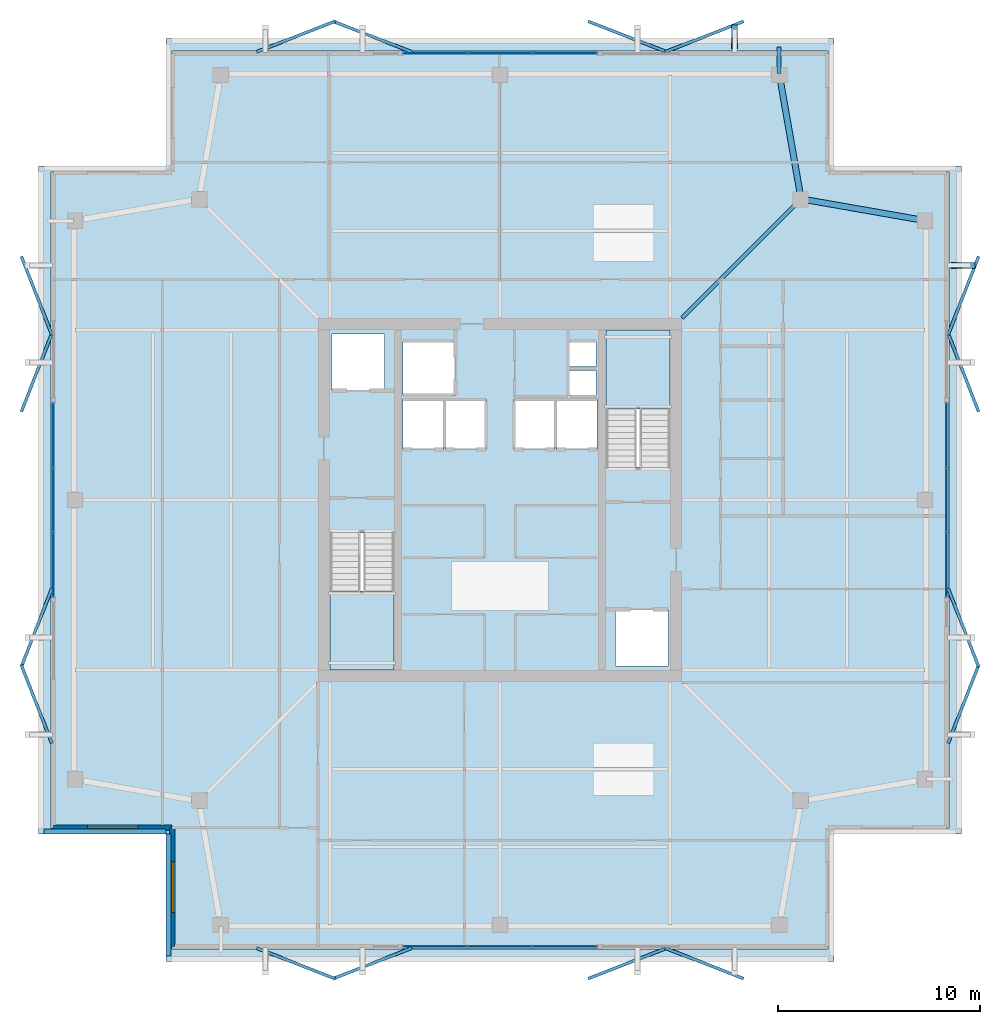
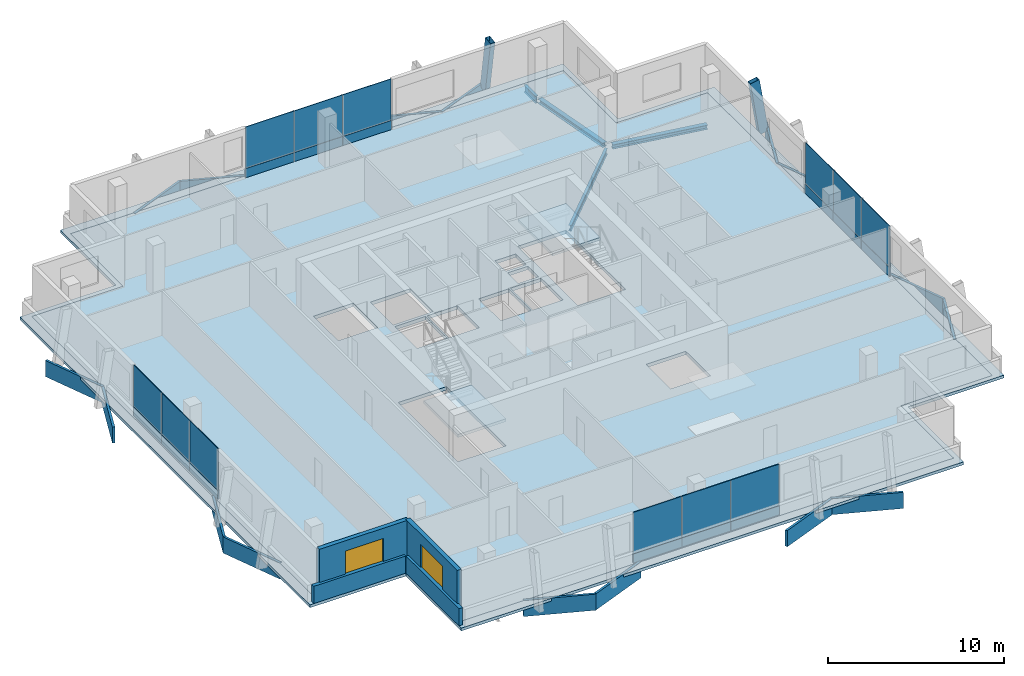
# One storey, part 12 of 17: 40 plates, 4 beams, 4 slabs, 4 walls, 2 members, 2 windows, 2 openings, 6 elements without a shape of their own.
"""IFC4 building model written with IfcOpenShell, lengths in metres."""

from ifc_helpers import new_model, si_unit, direction, frame, frame_2d, origin, origin_2d, place, context, subcontext, project, spatial, polyline, rectangle, hollow_rectangle, i_section, outline, extrude, material, layer, layer_set, material_profile, profile_set, type_object, element, fill, aggregate, save


model = new_model("IFC4")

# Units and contexts
model_context = context("Model", 3, precision=1e-05, world=origin(), true_north=direction((0.0, 1.0)))
body_context = subcontext(model_context, "Body", "Model", "MODEL_VIEW")
ifc_project = project(units=[si_unit("LENGTHUNIT", "METRE"), si_unit("AREAUNIT", "SQUARE_METRE"), si_unit("VOLUMEUNIT", "CUBIC_METRE"), si_unit("PLANEANGLEUNIT", "RADIAN"), si_unit("MASSUNIT", "GRAM", prefix="KILO")], contexts=[model_context])

# Site, building, storey
site_placement = place(None, origin())
site = spatial("IfcSite", under=ifc_project, at=site_placement, CompositionType="ELEMENT")
building_placement = place(site_placement, origin())
building = spatial("IfcBuilding", under=site, at=building_placement, Name="Belovzor Exchange Tower", CompositionType="ELEMENT")
storey_placement = place(building_placement, frame((0.0, 0.0, 333.0)))
storey = spatial("IfcBuildingStorey", under=building, at=storey_placement, Name="L83", CompositionType="ELEMENT", Elevation=333.0)

# Beam
ifc_material_1 = material(Name="Steel S355", Category="steel")
ifc_material_profile_1 = material_profile(ifc_material_1, i_section(OverallWidth=0.199951171875, OverallDepth=0.5, WebThickness=0.01025390625, FlangeThickness=0.01611328125, at=origin_2d()))
ifc_profile_set_1 = profile_set([ifc_material_profile_1], Name="Steel S355")
beam_type_1 = type_object("IfcBeamType", Name="Planted Balcony Cantilever Beam IPE 500", PredefinedType="BEAM", material=ifc_profile_set_1)
beam_1_placement = place(storey_placement, frame((42.60009765625, 49.8779296875, -0.489990234375), z_axis=(0.0, 1.0, 0.0), x_axis=(-1.0, 0.0, 0.0)))
element("IfcBeam", 1, at=beam_1_placement, inside=storey, type_object=beam_type_1, Name="BC-500 Planted Balcony Cantilever Beam IPE 500", PredefinedType="BEAM", context=body_context, shape_type="SweptSolid", body=[
    extrude(i_section(OverallWidth=0.199951171875, OverallDepth=0.5, WebThickness=0.01025390625, FlangeThickness=0.01611328125, at=origin_2d()), origin(), (0.0, 0.0, 1.0), 1.322021484375),
])

# Members
ifc_material_2 = material(Name="Extruded Architectural Terracotta on Steel S355 Carrier", Category="masonry")
ifc_material_profile_2 = material_profile(ifc_material_2, hollow_rectangle(XDim=0.300048828125, YDim=0.60009765625, WallThickness=0.01611328125, at=origin_2d()))
ifc_profile_set_2 = profile_set([ifc_material_profile_2], Name="Extruded Architectural Terracotta on Steel S355 Carrier")
member_type = type_object("IfcMemberType", Name="Upper Crown Terracotta Fin Assembly 550", PredefinedType="USERDEFINED", material=ifc_profile_set_2)
for number, where, z_axis, x_axis, name in (
    (2, (40.39990234375, 51.97509765625, -0.239990234375), (0.0, -0.158015573692, 0.987436619977), (1.0, 0.0, 0.0), "FIN-TC055 Terracotta Facade Fin L83 N4"),
    (3, (51.97509765625, 40.39990234375, -0.239990234375), (-0.158015573692, 0.0, 0.987436619977), (0.0, -1.0, 0.0), "FIN-TC055 Terracotta Facade Fin L83 E4"),
):
    element("IfcMember", number, at=place(storey_placement, frame(where, z_axis=z_axis, x_axis=x_axis)), inside=storey, type_object=member_type, Name=name, ObjectType="FIN", PredefinedType="USERDEFINED", context=body_context, shape_type="SweptSolid", body=[
        extrude(hollow_rectangle(XDim=0.300048828125, YDim=0.60009765625, WallThickness=0.01611328125, at=origin_2d()), origin(), (0.0, 0.0, 1.0), 3.797607421875),
    ])

# Beams
ifc_material_3 = material(Name="Steel S355", Category="steel")
ifc_material_profile_3 = material_profile(ifc_material_3, i_section(OverallWidth=0.179931640625, OverallDepth=0.39990234375, WebThickness=0.008544921875, FlangeThickness=0.013427734375, at=origin_2d()))
ifc_profile_set_3 = profile_set([ifc_material_profile_3], Name="Steel S355")
beam_type_2 = type_object("IfcBeamType", Name="Zone 5-6 Radial Composite Floor Beam IPE 400", PredefinedType="BEAM", material=ifc_profile_set_3)
beam_2_placement = place(storey_placement, frame((37.800048828125, 37.800048828125, -0.43994140625), z_axis=(0.707106781187, 0.707106781187, 0.0), x_axis=(-0.707106781187, 0.707106781187, 0.0)))
element("IfcBeam", 4, at=beam_2_placement, inside=storey, type_object=beam_type_2, Name="FB-400 Zone 5-6 Radial Composite Floor Beam IPE 400", PredefinedType="BEAM", context=body_context, shape_type="SweptSolid", body=[
    extrude(i_section(OverallWidth=0.179931640625, OverallDepth=0.39990234375, WebThickness=0.008544921875, FlangeThickness=0.013427734375, at=origin_2d()), origin(), (0.0, 0.0, 1.0), 7.98193359375),
])
ifc_material_4 = material(Name="Steel S355", Category="steel")
ifc_material_profile_4 = material_profile(ifc_material_4, i_section(OverallWidth=0.300048828125, OverallDepth=0.300048828125, WebThickness=0.008544921875, FlangeThickness=0.013916015625, at=origin_2d()))
ifc_profile_set_4 = profile_set([ifc_material_profile_4], Name="Steel S355")
beam_type_3 = type_object("IfcBeamType", Name="Zone 6 Primary Girder HEA 300", PredefinedType="BEAM", material=ifc_profile_set_4)
for number, where, z_axis, x_axis, name in (
    (5, (49.60498046875, 42.64501953125, -0.389892578125), (-0.985052796974, 0.172252684082, 0.0), (-0.172252684082, -0.985052796974, 0.0), "FG-Z6 Zone 6 Primary Girder HEA 300"),
    (6, (43.635986328125, 43.93798828125, -0.389892578125), (-0.172252684082, 0.985052796974, 0.0), (-0.985052796974, -0.172252684082, 0.0), "FG-Z6 Zone 6 Primary Girder HEA 300"),
):
    element("IfcBeam", number, at=place(storey_placement, frame(where, z_axis=z_axis, x_axis=x_axis)), inside=storey, type_object=beam_type_3, Name=name, PredefinedType="BEAM", context=body_context, shape_type="SweptSolid", body=[
        extrude(i_section(OverallWidth=0.300048828125, OverallDepth=0.300048828125, WebThickness=0.008544921875, FlangeThickness=0.013916015625, at=origin_2d()), origin(), (0.0, 0.0, 1.0), 5.7529296875),
    ])

# Slab
ifc_material_5 = material(Name="Concrete C40/50", Category="concrete")
ifc_layer_1 = layer(ifc_material_5, 0.239990234375)
ifc_layer_set_1 = layer_set([ifc_layer_1], Name="Concrete C40/50")
slab_type_1 = type_object("IfcSlabType", Name="Composite High-Rise Floor Deck Slab 240", PredefinedType="FLOOR", material=ifc_layer_set_1)
slab_1_placement = place(storey_placement, frame((0.0, 0.0, -0.239990234375)))
element("IfcSlab", 7, at=slab_1_placement, inside=storey, type_object=slab_type_1, Name="SL-F240 Structural Slab L83", PredefinedType="FLOOR", context=body_context, shape_type="SweptSolid", body=[
    extrude(outline(polyline([(12.60009765625, 6.60009765625), (45.0, 6.60009765625), (45.0, 12.60009765625), (51.0, 12.60009765625), (51.0, 45.0), (45.0, 45.0), (45.0, 51.0), (12.60009765625, 51.0), (12.60009765625, 45.0), (6.60009765625, 45.0), (6.60009765625, 12.60009765625), (12.60009765625, 12.60009765625), (12.60009765625, 6.60009765625)]), holes=[polyline([(20.39990234375, 27.175048828125), (20.39990234375, 20.39990234375), (23.550048828125, 20.39990234375), (23.550048828125, 27.175048828125), (20.39990234375, 27.175048828125)]), polyline([(37.199951171875, 30.425048828125), (37.199951171875, 37.199951171875), (34.050048828125, 37.199951171875), (34.050048828125, 30.425048828125), (37.199951171875, 30.425048828125)]), polyline([(20.5, 34.199951171875), (23.10009765625, 34.199951171875), (23.10009765625, 37.0), (20.5, 37.0), (20.5, 34.199951171875)]), polyline([(34.5, 20.60009765625), (37.10009765625, 20.60009765625), (37.10009765625, 23.39990234375), (34.5, 23.39990234375), (34.5, 20.60009765625)]), polyline([(24.0, 34.0), (26.60009765625, 34.0), (26.60009765625, 36.60009765625), (24.0, 36.60009765625), (24.0, 34.0)]), polyline([(24.0, 31.300048828125), (26.0, 31.300048828125), (26.0, 33.800048828125), (24.0, 33.800048828125), (24.0, 31.300048828125)]), polyline([(26.10009765625, 31.300048828125), (28.10009765625, 31.300048828125), (28.10009765625, 33.800048828125), (26.10009765625, 33.800048828125), (26.10009765625, 31.300048828125)]), polyline([(29.5, 31.300048828125), (31.5, 31.300048828125), (31.5, 33.800048828125), (29.5, 33.800048828125), (29.5, 31.300048828125)]), polyline([(31.60009765625, 31.300048828125), (33.60009765625, 31.300048828125), (33.60009765625, 33.800048828125), (31.60009765625, 33.800048828125), (31.60009765625, 31.300048828125)]), polyline([(32.199951171875, 34.0), (33.550048828125, 34.0), (33.550048828125, 35.199951171875), (32.199951171875, 35.199951171875), (32.199951171875, 34.0)]), polyline([(32.199951171875, 35.39990234375), (33.550048828125, 35.39990234375), (33.550048828125, 36.60009765625), (32.199951171875, 36.60009765625), (32.199951171875, 35.39990234375)])]), origin(), (0.0, 0.0, 1.0), 0.239990234375),
])

# Curtain wall, plates
ifc_material_6 = material(Name="Anodised Aluminium Framing", Category="aluminium")
ifc_layer_2 = layer(ifc_material_6, 0.179931640625)
ifc_layer_set_2 = layer_set([ifc_layer_2], Name="Anodised Aluminium Framing")
curtain_wall_type = type_object("IfcCurtainWallType", Name="Recessed Loggia Low-Iron Triple-Glazed Curtain Wall", PredefinedType="NOTDEFINED", material=ifc_layer_set_2)
curtain_wall_1_placement = place(storey_placement, origin())
curtain_wall_1 = element("IfcCurtainWall", 8, at=curtain_wall_1_placement, inside=storey, type_object=curtain_wall_type, Name="CW3 Recessed Loggia Low-Iron Triple-Glazed Curtain Wall L83", PredefinedType="NOTDEFINED")
ifc_material_7 = material(Name="Solar-Control Triple Glazing", Category="glass")
ifc_layer_3 = layer(ifc_material_7, 0.0439453125)
ifc_layer_set_3 = layer_set([ifc_layer_3], Name="Solar-Control Triple Glazing")
plate_type_1 = type_object("IfcPlateType", Name="Insulated Solar Glazing Curtain Panel 44", PredefinedType="CURTAIN_PANEL", material=ifc_layer_set_3)
plate_1_placement = place(storey_placement, frame((32.0, 6.72998046875, 0.634033203125), z_axis=(0.0, 0.0, 1.0), x_axis=(-1.0, 0.0, 0.0)))
plate_1 = element("IfcPlate", 9, at=plate_1_placement, type_object=plate_type_1, Name="GLZ-44 Glazed Curtain Panel 1", PredefinedType="CURTAIN_PANEL", context=body_context, shape_type="SweptSolid", body=[
    extrude(rectangle(XDim=3.18408203125, YDim=0.0439453125, at=origin_2d()), origin(), (0.0, 0.0, 1.0), 2.8759765625),
])
plate_2_placement = place(storey_placement, frame((28.800048828125, 6.72998046875, 0.634033203125), z_axis=(0.0, 0.0, 1.0), x_axis=(-1.0, 0.0, 0.0)))
plate_2 = element("IfcPlate", 10, at=plate_2_placement, type_object=plate_type_1, Name="GLZ-44 Glazed Curtain Panel 2", PredefinedType="CURTAIN_PANEL", context=body_context, shape_type="SweptSolid", body=[
    extrude(rectangle(XDim=3.18408203125, YDim=0.0439453125, at=origin_2d()), origin(), (0.0, 0.0, 1.0), 2.8759765625),
])
plate_3_placement = place(storey_placement, frame((25.60009765625, 6.72998046875, 0.634033203125), z_axis=(0.0, 0.0, 1.0), x_axis=(-1.0, 0.0, 0.0)))
plate_3 = element("IfcPlate", 11, at=plate_3_placement, type_object=plate_type_1, Name="GLZ-44 Glazed Curtain Panel 3", PredefinedType="CURTAIN_PANEL", context=body_context, shape_type="SweptSolid", body=[
    extrude(rectangle(XDim=3.18408203125, YDim=0.0439453125, at=origin_2d()), origin(), (0.0, 0.0, 1.0), 2.8759765625),
])

curtain_wall_2_placement = place(storey_placement, origin())
curtain_wall_2 = element("IfcCurtainWall", 12, at=curtain_wall_2_placement, inside=storey, type_object=curtain_wall_type, Name="CW3 Recessed Loggia Low-Iron Triple-Glazed Curtain Wall L83", PredefinedType="NOTDEFINED")
plate_4_placement = place(storey_placement, frame((25.60009765625, 50.8701171875, 0.634033203125), z_axis=(0.0, 0.0, 1.0), x_axis=(1.0, 0.0, 0.0)))
plate_4 = element("IfcPlate", 13, at=plate_4_placement, type_object=plate_type_1, Name="GLZ-44 Glazed Curtain Panel 1", PredefinedType="CURTAIN_PANEL", context=body_context, shape_type="SweptSolid", body=[
    extrude(rectangle(XDim=3.18408203125, YDim=0.0439453125, at=origin_2d()), origin(), (0.0, 0.0, 1.0), 2.8759765625),
])
plate_5_placement = place(storey_placement, frame((28.800048828125, 50.8701171875, 0.634033203125), z_axis=(0.0, 0.0, 1.0), x_axis=(1.0, 0.0, 0.0)))
plate_5 = element("IfcPlate", 14, at=plate_5_placement, type_object=plate_type_1, Name="GLZ-44 Glazed Curtain Panel 2", PredefinedType="CURTAIN_PANEL", context=body_context, shape_type="SweptSolid", body=[
    extrude(rectangle(XDim=3.18408203125, YDim=0.0439453125, at=origin_2d()), origin(), (0.0, 0.0, 1.0), 2.8759765625),
])
plate_6_placement = place(storey_placement, frame((32.0, 50.8701171875, 0.634033203125), z_axis=(0.0, 0.0, 1.0), x_axis=(1.0, 0.0, 0.0)))
plate_6 = element("IfcPlate", 15, at=plate_6_placement, type_object=plate_type_1, Name="GLZ-44 Glazed Curtain Panel 3", PredefinedType="CURTAIN_PANEL", context=body_context, shape_type="SweptSolid", body=[
    extrude(rectangle(XDim=3.18408203125, YDim=0.0439453125, at=origin_2d()), origin(), (0.0, 0.0, 1.0), 2.8759765625),
])

curtain_wall_3_placement = place(storey_placement, origin())
curtain_wall_3 = element("IfcCurtainWall", 16, at=curtain_wall_3_placement, inside=storey, type_object=curtain_wall_type, Name="CW3 Recessed Loggia Low-Iron Triple-Glazed Curtain Wall L83", PredefinedType="NOTDEFINED")
plate_7_placement = place(storey_placement, frame((6.72998046875, 25.60009765625, 0.634033203125), z_axis=(0.0, 0.0, 1.0), x_axis=(0.0, 1.0, 0.0)))
plate_7 = element("IfcPlate", 17, at=plate_7_placement, type_object=plate_type_1, Name="GLZ-44 Glazed Curtain Panel 1", PredefinedType="CURTAIN_PANEL", context=body_context, shape_type="SweptSolid", body=[
    extrude(rectangle(XDim=3.18408203125, YDim=0.0439453125, at=origin_2d()), origin(), (0.0, 0.0, 1.0), 2.8759765625),
])
plate_8_placement = place(storey_placement, frame((6.72998046875, 28.800048828125, 0.634033203125), z_axis=(0.0, 0.0, 1.0), x_axis=(0.0, 1.0, 0.0)))
plate_8 = element("IfcPlate", 18, at=plate_8_placement, type_object=plate_type_1, Name="GLZ-44 Glazed Curtain Panel 2", PredefinedType="CURTAIN_PANEL", context=body_context, shape_type="SweptSolid", body=[
    extrude(rectangle(XDim=3.18408203125, YDim=0.0439453125, at=origin_2d()), origin(), (0.0, 0.0, 1.0), 2.8759765625),
])
plate_9_placement = place(storey_placement, frame((6.72998046875, 32.0, 0.634033203125), z_axis=(0.0, 0.0, 1.0), x_axis=(0.0, 1.0, 0.0)))
plate_9 = element("IfcPlate", 19, at=plate_9_placement, type_object=plate_type_1, Name="GLZ-44 Glazed Curtain Panel 3", PredefinedType="CURTAIN_PANEL", context=body_context, shape_type="SweptSolid", body=[
    extrude(rectangle(XDim=3.18408203125, YDim=0.0439453125, at=origin_2d()), origin(), (0.0, 0.0, 1.0), 2.8759765625),
])

curtain_wall_4_placement = place(storey_placement, origin())
curtain_wall_4 = element("IfcCurtainWall", 20, at=curtain_wall_4_placement, inside=storey, type_object=curtain_wall_type, Name="CW3 Recessed Loggia Low-Iron Triple-Glazed Curtain Wall L83", PredefinedType="NOTDEFINED")
plate_10_placement = place(storey_placement, frame((50.8701171875, 32.0, 0.634033203125), z_axis=(0.0, 0.0, 1.0), x_axis=(0.0, -1.0, 0.0)))
plate_10 = element("IfcPlate", 21, at=plate_10_placement, type_object=plate_type_1, Name="GLZ-44 Glazed Curtain Panel 1", PredefinedType="CURTAIN_PANEL", context=body_context, shape_type="SweptSolid", body=[
    extrude(rectangle(XDim=3.18408203125, YDim=0.0439453125, at=origin_2d()), origin(), (0.0, 0.0, 1.0), 2.8759765625),
])
plate_11_placement = place(storey_placement, frame((50.8701171875, 28.800048828125, 0.634033203125), z_axis=(0.0, 0.0, 1.0), x_axis=(0.0, -1.0, 0.0)))
plate_11 = element("IfcPlate", 22, at=plate_11_placement, type_object=plate_type_1, Name="GLZ-44 Glazed Curtain Panel 2", PredefinedType="CURTAIN_PANEL", context=body_context, shape_type="SweptSolid", body=[
    extrude(rectangle(XDim=3.18408203125, YDim=0.0439453125, at=origin_2d()), origin(), (0.0, 0.0, 1.0), 2.8759765625),
])
plate_12_placement = place(storey_placement, frame((50.8701171875, 25.60009765625, 0.634033203125), z_axis=(0.0, 0.0, 1.0), x_axis=(0.0, -1.0, 0.0)))
plate_12 = element("IfcPlate", 23, at=plate_12_placement, type_object=plate_type_1, Name="GLZ-44 Glazed Curtain Panel 3", PredefinedType="CURTAIN_PANEL", context=body_context, shape_type="SweptSolid", body=[
    extrude(rectangle(XDim=3.18408203125, YDim=0.0439453125, at=origin_2d()), origin(), (0.0, 0.0, 1.0), 2.8759765625),
])

# Stair, slab
ifc_material_8 = material(Name="Concrete C40/50", Category="concrete")
stair_type = type_object("IfcStairType", Name="Reinforced Concrete Dogleg Escape Stair 1350", PredefinedType="HALF_TURN_STAIR", material=ifc_material_8)
stair_1_placement = place(storey_placement, origin())
stair_1 = element("IfcStair", 24, at=stair_1_placement, inside=storey, type_object=stair_type, Name="L83 ST-1", PredefinedType="HALF_TURN_STAIR")
ifc_material_9 = material(Name="Concrete C40/50", Category="concrete")
ifc_layer_4 = layer(ifc_material_9, 0.199951171875)
ifc_layer_set_4 = layer_set([ifc_layer_4], Name="Concrete C40/50")
slab_type_2 = type_object("IfcSlabType", Name="Reinforced Concrete Stair Half-Landing Slab 200", PredefinedType="LANDING", material=ifc_layer_set_4)
slab_2_placement = place(storey_placement, frame((0.0, 0.0, 1.675048828125)))
slab_2 = element("IfcSlab", 25, at=slab_2_placement, type_object=slab_type_2, Name="ST-1 landing 1", PredefinedType="LANDING", context=body_context, shape_type="SweptSolid", body=[
    extrude(outline(polyline([(20.39990234375, 24.300048828125), (20.39990234375, 20.39990234375), (23.550048828125, 20.39990234375), (23.550048828125, 24.300048828125), (20.39990234375, 24.300048828125)])), origin(), (0.0, 0.0, 1.0), 0.199951171875),
])
aggregate(stair_1, [slab_2])

stair_2_placement = place(storey_placement, origin())
stair_2 = element("IfcStair", 26, at=stair_2_placement, inside=storey, type_object=stair_type, Name="L83 ST-2", PredefinedType="HALF_TURN_STAIR")
slab_3_placement = place(storey_placement, frame((0.0, 0.0, 1.675048828125)))
slab_3 = element("IfcSlab", 27, at=slab_3_placement, type_object=slab_type_2, Name="ST-2 landing 1", PredefinedType="LANDING", context=body_context, shape_type="SweptSolid", body=[
    extrude(outline(polyline([(37.199951171875, 33.300048828125), (37.199951171875, 37.199951171875), (34.050048828125, 37.199951171875), (34.050048828125, 33.300048828125), (37.199951171875, 33.300048828125)])), origin(), (0.0, 0.0, 1.0), 0.199951171875),
])
aggregate(stair_2, [slab_3])

# Slab
ifc_material_10 = material(Name="Concrete C40/50", Category="concrete")
ifc_layer_5 = layer(ifc_material_10, 0.199951171875)
ifc_layer_set_5 = layer_set([ifc_layer_5], Name="Concrete C40/50")
slab_type_3 = type_object("IfcSlabType", Name="Setback Weathering Roof Ring Slab 200", PredefinedType="ROOF", material=ifc_layer_set_5)
slab_4_placement = place(storey_placement, frame((0.0, 0.0, -0.199951171875)))
element("IfcSlab", 28, at=slab_4_placement, inside=storey, type_object=slab_type_3, Name="SL-RF200A Setback Weathering Roof Ring L82", PredefinedType="ROOF", context=body_context, shape_type="SweptSolid", body=[
    extrude(outline(polyline([(12.300048828125, 6.0), (45.300048828125, 6.0), (45.300048828125, 12.300048828125), (51.60009765625, 12.300048828125), (51.60009765625, 45.300048828125), (45.300048828125, 45.300048828125), (45.300048828125, 51.60009765625), (12.300048828125, 51.60009765625), (12.300048828125, 45.300048828125), (6.0, 45.300048828125), (6.0, 12.300048828125), (12.300048828125, 12.300048828125), (12.300048828125, 6.0)]), holes=[polyline([(12.60009765625, 6.60009765625), (45.0, 6.60009765625), (45.0, 12.60009765625), (51.0, 12.60009765625), (51.0, 45.0), (45.0, 45.0), (45.0, 51.0), (12.60009765625, 51.0), (12.60009765625, 45.0), (6.60009765625, 45.0), (6.60009765625, 12.60009765625), (12.60009765625, 12.60009765625), (12.60009765625, 6.60009765625)])]), origin(), (0.0, 0.0, 1.0), 0.199951171875),
])

# Plate
ifc_material_11 = material(Name="Extruded Architectural Terracotta", Category="masonry")
ifc_layer_6 = layer(ifc_material_11, 0.090087890625)
ifc_layer_set_6 = layer_set([ifc_layer_6], Name="Extruded Architectural Terracotta")
plate_type_2 = type_object("IfcPlateType", Name="Terracotta Shadow-Box Spandrel Panel 90", PredefinedType="CURTAIN_PANEL", material=ifc_layer_set_6)
plate_13_placement = place(storey_placement, frame((32.0, 6.72998046875, 0.0), z_axis=(0.0, 0.0, 1.0), x_axis=(-1.0, 0.0, 0.0)))
plate_13 = element("IfcPlate", 29, at=plate_13_placement, type_object=plate_type_2, Name="SPD-90 Spandrel Panel 1", PredefinedType="CURTAIN_PANEL", context=body_context, shape_type="SweptSolid", body=[
    extrude(rectangle(XDim=3.18408203125, YDim=0.090087890625, at=origin_2d()), origin(), (0.0, 0.0, 1.0), 0.6298828125),
])

plate_14_placement = place(storey_placement, frame((28.800048828125, 6.72998046875, 0.0), z_axis=(0.0, 0.0, 1.0), x_axis=(-1.0, 0.0, 0.0)))
plate_14 = element("IfcPlate", 30, at=plate_14_placement, type_object=plate_type_2, Name="SPD-90 Spandrel Panel 2", PredefinedType="CURTAIN_PANEL", context=body_context, shape_type="SweptSolid", body=[
    extrude(rectangle(XDim=3.18408203125, YDim=0.090087890625, at=origin_2d()), origin(), (0.0, 0.0, 1.0), 0.6298828125),
])

plate_15_placement = place(storey_placement, frame((25.60009765625, 6.72998046875, 0.0), z_axis=(0.0, 0.0, 1.0), x_axis=(-1.0, 0.0, 0.0)))
plate_15 = element("IfcPlate", 31, at=plate_15_placement, type_object=plate_type_2, Name="SPD-90 Spandrel Panel 3", PredefinedType="CURTAIN_PANEL", context=body_context, shape_type="SweptSolid", body=[
    extrude(rectangle(XDim=3.18408203125, YDim=0.090087890625, at=origin_2d()), origin(), (0.0, 0.0, 1.0), 0.6298828125),
])

aggregate(curtain_wall_1, [plate_13, plate_1, plate_14, plate_2, plate_15, plate_3])

plate_16_placement = place(storey_placement, frame((25.60009765625, 50.8701171875, 0.0), z_axis=(0.0, 0.0, 1.0), x_axis=(1.0, 0.0, 0.0)))
plate_16 = element("IfcPlate", 32, at=plate_16_placement, type_object=plate_type_2, Name="SPD-90 Spandrel Panel 1", PredefinedType="CURTAIN_PANEL", context=body_context, shape_type="SweptSolid", body=[
    extrude(rectangle(XDim=3.18408203125, YDim=0.090087890625, at=origin_2d()), origin(), (0.0, 0.0, 1.0), 0.6298828125),
])

plate_17_placement = place(storey_placement, frame((28.800048828125, 50.8701171875, 0.0), z_axis=(0.0, 0.0, 1.0), x_axis=(1.0, 0.0, 0.0)))
plate_17 = element("IfcPlate", 33, at=plate_17_placement, type_object=plate_type_2, Name="SPD-90 Spandrel Panel 2", PredefinedType="CURTAIN_PANEL", context=body_context, shape_type="SweptSolid", body=[
    extrude(rectangle(XDim=3.18408203125, YDim=0.090087890625, at=origin_2d()), origin(), (0.0, 0.0, 1.0), 0.6298828125),
])

plate_18_placement = place(storey_placement, frame((32.0, 50.8701171875, 0.0), z_axis=(0.0, 0.0, 1.0), x_axis=(1.0, 0.0, 0.0)))
plate_18 = element("IfcPlate", 34, at=plate_18_placement, type_object=plate_type_2, Name="SPD-90 Spandrel Panel 3", PredefinedType="CURTAIN_PANEL", context=body_context, shape_type="SweptSolid", body=[
    extrude(rectangle(XDim=3.18408203125, YDim=0.090087890625, at=origin_2d()), origin(), (0.0, 0.0, 1.0), 0.6298828125),
])

aggregate(curtain_wall_2, [plate_16, plate_4, plate_17, plate_5, plate_18, plate_6])

plate_19_placement = place(storey_placement, frame((6.72998046875, 25.60009765625, 0.0), z_axis=(0.0, 0.0, 1.0), x_axis=(0.0, 1.0, 0.0)))
plate_19 = element("IfcPlate", 35, at=plate_19_placement, type_object=plate_type_2, Name="SPD-90 Spandrel Panel 1", PredefinedType="CURTAIN_PANEL", context=body_context, shape_type="SweptSolid", body=[
    extrude(rectangle(XDim=3.18408203125, YDim=0.090087890625, at=origin_2d()), origin(), (0.0, 0.0, 1.0), 0.6298828125),
])

plate_20_placement = place(storey_placement, frame((6.72998046875, 28.800048828125, 0.0), z_axis=(0.0, 0.0, 1.0), x_axis=(0.0, 1.0, 0.0)))
plate_20 = element("IfcPlate", 36, at=plate_20_placement, type_object=plate_type_2, Name="SPD-90 Spandrel Panel 2", PredefinedType="CURTAIN_PANEL", context=body_context, shape_type="SweptSolid", body=[
    extrude(rectangle(XDim=3.18408203125, YDim=0.090087890625, at=origin_2d()), origin(), (0.0, 0.0, 1.0), 0.6298828125),
])

plate_21_placement = place(storey_placement, frame((6.72998046875, 32.0, 0.0), z_axis=(0.0, 0.0, 1.0), x_axis=(0.0, 1.0, 0.0)))
plate_21 = element("IfcPlate", 37, at=plate_21_placement, type_object=plate_type_2, Name="SPD-90 Spandrel Panel 3", PredefinedType="CURTAIN_PANEL", context=body_context, shape_type="SweptSolid", body=[
    extrude(rectangle(XDim=3.18408203125, YDim=0.090087890625, at=origin_2d()), origin(), (0.0, 0.0, 1.0), 0.6298828125),
])

aggregate(curtain_wall_3, [plate_19, plate_7, plate_20, plate_8, plate_21, plate_9])

plate_22_placement = place(storey_placement, frame((50.8701171875, 32.0, 0.0), z_axis=(0.0, 0.0, 1.0), x_axis=(0.0, -1.0, 0.0)))
plate_22 = element("IfcPlate", 38, at=plate_22_placement, type_object=plate_type_2, Name="SPD-90 Spandrel Panel 1", PredefinedType="CURTAIN_PANEL", context=body_context, shape_type="SweptSolid", body=[
    extrude(rectangle(XDim=3.18408203125, YDim=0.090087890625, at=origin_2d()), origin(), (0.0, 0.0, 1.0), 0.6298828125),
])

plate_23_placement = place(storey_placement, frame((50.8701171875, 28.800048828125, 0.0), z_axis=(0.0, 0.0, 1.0), x_axis=(0.0, -1.0, 0.0)))
plate_23 = element("IfcPlate", 39, at=plate_23_placement, type_object=plate_type_2, Name="SPD-90 Spandrel Panel 2", PredefinedType="CURTAIN_PANEL", context=body_context, shape_type="SweptSolid", body=[
    extrude(rectangle(XDim=3.18408203125, YDim=0.090087890625, at=origin_2d()), origin(), (0.0, 0.0, 1.0), 0.6298828125),
])

plate_24_placement = place(storey_placement, frame((50.8701171875, 25.60009765625, 0.0), z_axis=(0.0, 0.0, 1.0), x_axis=(0.0, -1.0, 0.0)))
plate_24 = element("IfcPlate", 40, at=plate_24_placement, type_object=plate_type_2, Name="SPD-90 Spandrel Panel 3", PredefinedType="CURTAIN_PANEL", context=body_context, shape_type="SweptSolid", body=[
    extrude(rectangle(XDim=3.18408203125, YDim=0.090087890625, at=origin_2d()), origin(), (0.0, 0.0, 1.0), 0.6298828125),
])

aggregate(curtain_wall_4, [plate_22, plate_10, plate_23, plate_11, plate_24, plate_12])

# Plates
ifc_material_12 = material(Name="Extruded Architectural Terracotta", Category="masonry")
ifc_layer_7 = layer(ifc_material_12, 0.14990234375)
ifc_layer_set_7 = layer_set([ifc_layer_7], Name="Extruded Architectural Terracotta")
plate_type_3 = type_object("IfcPlateType", Name="Upper-Crown Deep Folded Zigzag Terracotta Spandrel Louvre 150", PredefinedType="USERDEFINED", material=ifc_layer_set_7)
for number, where, z_axis, x_axis, name in (
    (41, (18.699951171875, 5.89990234375, -1.10498046875), (0.0, 0.0, 1.0), (0.931817969421, -0.362925986758, 0.0), "LVR-ZZ3 Zigzag Terracotta Spandrel Louvre L83 S1A"),
    (42, (22.5, 5.89990234375, -1.10498046875), (0.0, 0.0, 1.0), (0.931817969421, 0.362925986758, 0.0), "LVR-ZZ3 Zigzag Terracotta Spandrel Louvre L83 S1B"),
    (43, (18.699951171875, 51.699951171875, -1.10498046875), (0.0, 0.0, 1.0), (0.931817969421, 0.362925986758, 0.0), "LVR-ZZ3 Zigzag Terracotta Spandrel Louvre L83 N1A"),
    (44, (22.5, 51.699951171875, -1.10498046875), (0.0, 0.0, 1.0), (0.931817969421, -0.362925986758, 0.0), "LVR-ZZ3 Zigzag Terracotta Spandrel Louvre L83 N1B"),
    (45, (5.89990234375, 18.699951171875, -1.10498046875), (0.0, 0.0, 1.0), (-0.362925986758, 0.931817969421, 0.0), "LVR-ZZ3 Zigzag Terracotta Spandrel Louvre L83 W1A"),
    (46, (5.89990234375, 22.5, -1.10498046875), (0.0, 0.0, 1.0), (0.362925986758, 0.931817969421, 0.0), "LVR-ZZ3 Zigzag Terracotta Spandrel Louvre L83 W1B"),
    (47, (51.699951171875, 18.699951171875, -1.10498046875), (0.0, 0.0, 1.0), (0.362925986758, 0.931817969421, 0.0), "LVR-ZZ3 Zigzag Terracotta Spandrel Louvre L83 E1A"),
    (48, (51.699951171875, 22.5, -1.10498046875), (0.0, 0.0, 1.0), (-0.362925986758, 0.931817969421, 0.0), "LVR-ZZ3 Zigzag Terracotta Spandrel Louvre L83 E1B"),
    (49, (35.10009765625, 5.89990234375, -1.10498046875), (0.0, 0.0, 1.0), (0.931817969421, 0.362925986758, 0.0), "LVR-ZZ3 Zigzag Terracotta Spandrel Louvre L83 S2A"),
    (50, (38.89990234375, 5.89990234375, -1.10498046875), (0.0, 0.0, 1.0), (0.931817969421, -0.362925986758, 0.0), "LVR-ZZ3 Zigzag Terracotta Spandrel Louvre L83 S2B"),
    (51, (35.10009765625, 51.699951171875, -1.10498046875), (0.0, 0.0, 1.0), (0.931817969421, -0.362925986758, 0.0), "LVR-ZZ3 Zigzag Terracotta Spandrel Louvre L83 N2A"),
    (52, (38.89990234375, 51.699951171875, -1.10498046875), (0.0, 0.0, 1.0), (0.931817969421, 0.362925986758, 0.0), "LVR-ZZ3 Zigzag Terracotta Spandrel Louvre L83 N2B"),
    (53, (5.89990234375, 35.10009765625, -1.10498046875), (0.0, 0.0, 1.0), (0.362925986758, 0.931817969421, 0.0), "LVR-ZZ3 Zigzag Terracotta Spandrel Louvre L83 W2A"),
    (54, (5.89990234375, 38.89990234375, -1.10498046875), (0.0, 0.0, 1.0), (-0.362925986758, 0.931817969421, 0.0), "LVR-ZZ3 Zigzag Terracotta Spandrel Louvre L83 W2B"),
    (55, (51.699951171875, 35.10009765625, -1.10498046875), (0.0, 0.0, 1.0), (-0.362925986758, 0.931817969421, 0.0), "LVR-ZZ3 Zigzag Terracotta Spandrel Louvre L83 E2A"),
    (56, (51.699951171875, 38.89990234375, -1.10498046875), (0.0, 0.0, 1.0), (0.362925986758, 0.931817969421, 0.0), "LVR-ZZ3 Zigzag Terracotta Spandrel Louvre L83 E2B"),
):
    element("IfcPlate", number, at=place(storey_placement, frame(where, z_axis=z_axis, x_axis=x_axis)), inside=storey, type_object=plate_type_3, Name=name, ObjectType="SPANDREL_LOUVRE", PredefinedType="USERDEFINED", context=body_context, shape_type="SweptSolid", body=[
        extrude(rectangle(XDim=4.157958984375, YDim=0.14990234375, at=origin_2d()), origin(), (0.0, 0.0, 1.0), 1.1201171875),
    ])

# Wall, opening, window
ifc_material_13 = material(Name="Precast concrete C40/50", Category="concrete")
ifc_layer_8 = layer(ifc_material_13, 0.280029296875)
ifc_layer_set_8 = layer_set([ifc_layer_8], Name="Precast concrete C40/50")
wall_type_1 = type_object("IfcWallType", Name="Precast Concrete Notched Corner Frame Wall 280", PredefinedType="SOLIDWALL", material=ifc_layer_set_8)
wall_1_placement = place(storey_placement, frame((12.60009765625, 6.72998046875, 0.0), z_axis=(0.0, 0.0, 1.0), x_axis=(0.0, 1.0, 0.0)))
wall_1 = element("IfcWall", 57, at=wall_1_placement, inside=storey, type_object=wall_type_1, Name="W-CRN280 Precast Concrete Notched Corner Frame Wall 280 L83", PredefinedType="SOLIDWALL", context=body_context, shape_type="SweptSolid", body=[
    extrude(rectangle(XDim=5.8701171875, YDim=0.280029296875, at=frame_2d((2.93505859375, 0.0))), origin(), (0.0, 0.0, 1.0), 3.510009765625),
])
opening_1_placement = place(wall_1_placement, frame((1.68505859375, 0.0, 0.89990234375)))
opening_1 = element("IfcOpeningElement", 58, at=opening_1_placement, cuts=wall_1, Name="Opening WN-CRN250", PredefinedType="OPENING", context=body_context, shape_type="SweptSolid", body=[
    extrude(rectangle(XDim=2.5, YDim=1.89990234375, at=frame_2d((1.25, 0.949951171875))), frame((0.0, 0.14990234375, 0.0), z_axis=(0.0, -1.0, 0.0), x_axis=(1.0, 0.0, 0.0)), (0.0, 0.0, 1.0), 0.300048828125),
])
ifc_material_14 = material(Name="Thermally Broken Aluminium and Triple Glazing", Category="aluminium")
window_type = type_object("IfcWindowType", Name="Streamline Moderne Corner Wrap Ribbon Window 2500x1900", PartitioningType="SINGLE_PANEL", PredefinedType="WINDOW", material=ifc_material_14)
window_1_placement = place(opening_1_placement, origin())
window_1 = element("IfcWindow", 59, at=window_1_placement, inside=storey, type_object=window_type, Name="WN-CRN250 Streamline Moderne Corner Wrap Ribbon Window 2500x1900", OverallHeight=1.89990234375, OverallWidth=2.5, PartitioningType="SINGLE_PANEL", PredefinedType="WINDOW", context=body_context, shape_type="SweptSolid", body=[
    extrude(rectangle(XDim=2.5, YDim=1.89990234375, at=frame_2d((1.25, 0.949951171875))), frame((0.0, 0.030029296875, 0.0), z_axis=(0.0, -1.0, 0.0), x_axis=(1.0, 0.0, 0.0)), (0.0, 0.0, 1.0), 0.06005859375),
])
fill(opening_1, window_1)

wall_2_placement = place(storey_placement, frame((12.60009765625, 12.60009765625, 0.0), z_axis=(0.0, 0.0, 1.0), x_axis=(-1.0, 0.0, 0.0)))
wall_2 = element("IfcWall", 60, at=wall_2_placement, inside=storey, type_object=wall_type_1, Name="W-CRN280 Precast Concrete Notched Corner Frame Wall 280 L83", PredefinedType="SOLIDWALL", context=body_context, shape_type="SweptSolid", body=[
    extrude(rectangle(XDim=5.8701171875, YDim=0.280029296875, at=frame_2d((2.93505859375, 0.0))), origin(), (0.0, 0.0, 1.0), 3.510009765625),
])
opening_2_placement = place(wall_2_placement, frame((1.68505859375, 0.0, 0.89990234375)))
opening_2 = element("IfcOpeningElement", 61, at=opening_2_placement, cuts=wall_2, Name="Opening WN-CRN250", PredefinedType="OPENING", context=body_context, shape_type="SweptSolid", body=[
    extrude(rectangle(XDim=2.5, YDim=1.89990234375, at=frame_2d((1.25, 0.949951171875))), frame((0.0, 0.14990234375, 0.0), z_axis=(0.0, -1.0, 0.0), x_axis=(1.0, 0.0, 0.0)), (0.0, 0.0, 1.0), 0.300048828125),
])
window_2_placement = place(opening_2_placement, origin())
window_2 = element("IfcWindow", 62, at=window_2_placement, inside=storey, type_object=window_type, Name="WN-CRN250 Streamline Moderne Corner Wrap Ribbon Window 2500x1900", OverallHeight=1.89990234375, OverallWidth=2.5, PartitioningType="SINGLE_PANEL", PredefinedType="WINDOW", context=body_context, shape_type="SweptSolid", body=[
    extrude(rectangle(XDim=2.5, YDim=1.89990234375, at=frame_2d((1.25, 0.949951171875))), frame((0.0, 0.030029296875, 0.0), z_axis=(0.0, -1.0, 0.0), x_axis=(1.0, 0.0, 0.0)), (0.0, 0.0, 1.0), 0.06005859375),
])
fill(opening_2, window_2)

# Walls
ifc_material_15 = material(Name="Precast concrete C40/50", Category="concrete")
ifc_layer_9 = layer(ifc_material_15, 0.239990234375)
ifc_layer_set_9 = layer_set([ifc_layer_9], Name="Precast concrete C40/50")
wall_type_2 = type_object("IfcWallType", Name="Precast Stone Setback Roof Parapet Wall 240", PredefinedType="PARAPET", material=ifc_layer_set_9)
for number, where, z_axis, x_axis, name in (
    (63, (6.2548828125, 12.419921875, 0.0), (0.0, 0.0, 1.0), (1.0, 0.0, 0.0), "W-PAR240 Precast Stone Setback Roof Parapet Wall 240 L83"),
    (64, (12.419921875, 12.284912109375, 0.0), (0.0, 0.0, 1.0), (0.0, -1.0, 0.0), "W-PAR240 Precast Stone Setback Roof Parapet Wall 240 L83"),
):
    element("IfcWall", number, at=place(storey_placement, frame(where, z_axis=z_axis, x_axis=x_axis)), inside=storey, type_object=wall_type_2, Name=name, PredefinedType="PARAPET", context=body_context, shape_type="SweptSolid", body=[
        extrude(rectangle(XDim=6.030029296875, YDim=0.239990234375, at=frame_2d((3.01513671875, 0.0))), origin(), (0.0, 0.0, 1.0), 1.199951171875),
    ])

save(model, "model.ifc")
